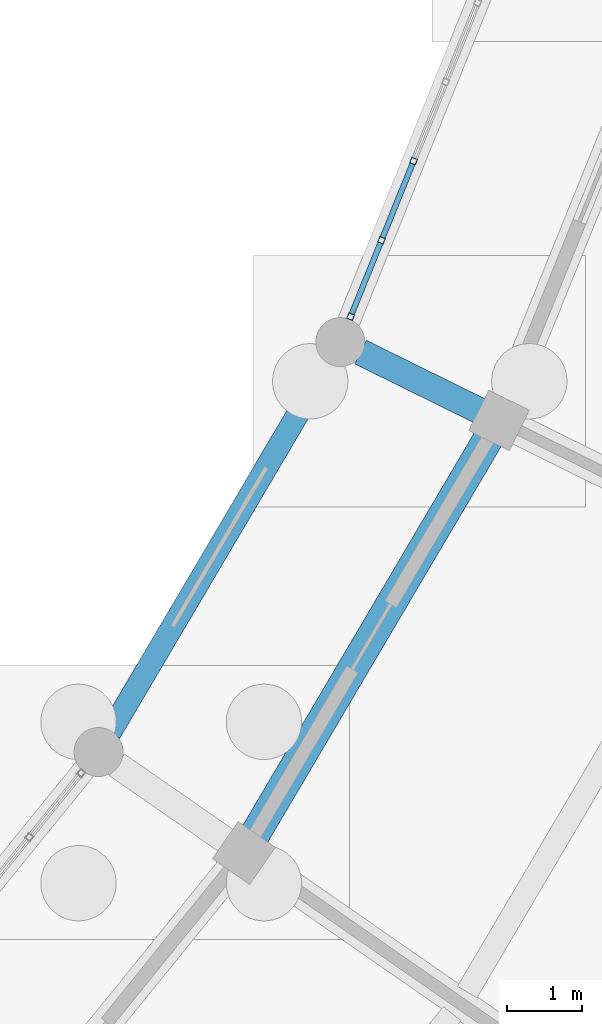
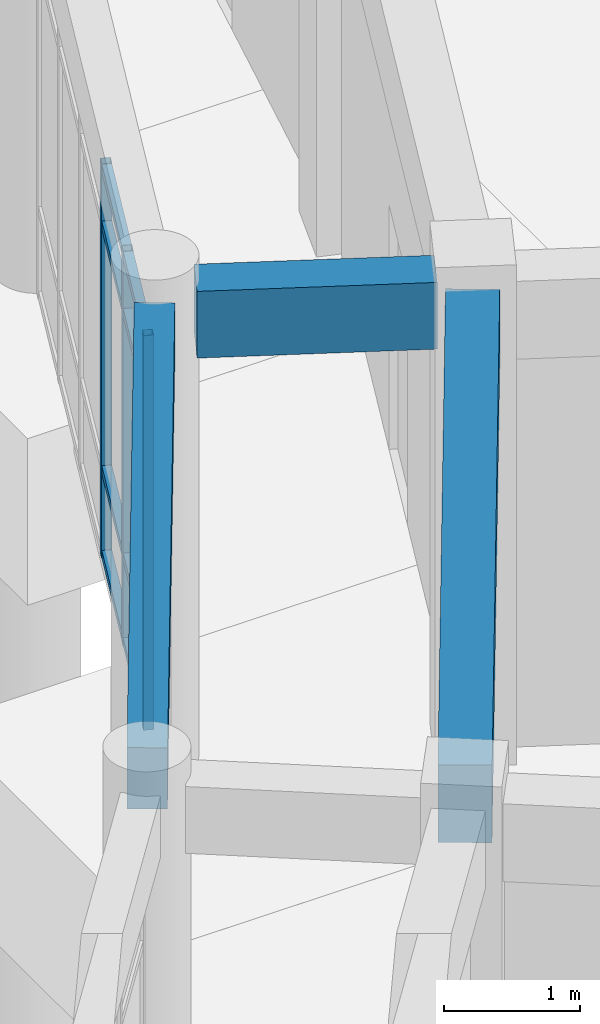
# One storey, part 53 of 153: 11 members, 3 beams, 1 element without a shape of its own.
"""IFC4 building model written with IfcOpenShell, lengths in metres."""

from ifc_helpers import new_model, si_unit, direction, frame, origin, origin_2d, place, context, subcontext, project, spatial, rectangle, hollow_rectangle, extrude, material, material_profile, profile_set, type_object, element, aggregate, save


model = new_model("IFC4")

# Units and contexts
model_context = context("Model", 3, precision=1e-05, world=origin(), true_north=direction((0.0, 1.0)))
body_context = subcontext(model_context, "Body", "Model", "MODEL_VIEW")
ifc_project = project(units=[si_unit("LENGTHUNIT", "METRE"), si_unit("AREAUNIT", "SQUARE_METRE"), si_unit("VOLUMEUNIT", "CUBIC_METRE"), si_unit("PLANEANGLEUNIT", "RADIAN"), si_unit("MASSUNIT", "GRAM", prefix="KILO")], contexts=[model_context])

# Site, building, storey
site_placement = place(None, origin())
site = spatial("IfcSite", under=ifc_project, at=site_placement, CompositionType="ELEMENT")
building_placement = place(site_placement, origin())
building = spatial("IfcBuilding", under=site, at=building_placement, Name="Celadon Cloister-Ring School", CompositionType="ELEMENT")
storey_placement = place(building_placement, origin())
storey = spatial("IfcBuildingStorey", under=building, at=storey_placement, Name="L00", CompositionType="ELEMENT", Elevation=0.0)

# Beam
ifc_material_1 = material(Name="Concrete C35/45", Category="concrete")
ifc_material_profile_1 = material_profile(ifc_material_1, rectangle(XDim=0.35009765625, YDim=0.60009765625, at=origin_2d()), Name="RC350X600")
ifc_profile_set_1 = profile_set([ifc_material_profile_1], Name="Concrete C35/45")
beam_type_1 = type_object("IfcBeamType", Name="BT-02", PredefinedType="BEAM", material=ifc_profile_set_1)
beam_1_placement = place(storey_placement, frame((127.10205078125, 39.197998046875, 3.97998046875), z_axis=(-0.896808796735, 0.442418333819, 0.0), x_axis=(-0.442418333819, -0.896808796735, 0.0)))
element("IfcBeam", 1, at=beam_1_placement, inside=storey, type_object=beam_type_1, Name="Beam 0049", PredefinedType="BEAM", context=body_context, shape_type="SweptSolid", body=[
    extrude(rectangle(XDim=0.35009765625, YDim=0.60009765625, at=origin_2d()), origin(), (0.0, 0.0, 1.0), 1.774169921875),
])

# Curtain wall, members
ifc_material_2 = material(Name="Aluminium EN AW-6063 T6", Category="aluminium")
curtain_wall_type = type_object("IfcCurtainWallType", Name="CW-01", PredefinedType="USERDEFINED", material=ifc_material_2)
curtain_wall_placement = place(storey_placement, origin())
curtain_wall = element("IfcCurtainWall", 2, at=curtain_wall_placement, inside=storey, type_object=curtain_wall_type, Name="Curtain Wall 0015", ObjectType="CURTAIN WALL", PredefinedType="USERDEFINED")
ifc_material_3 = material(Name="Aluminium EN AW-6063 T6", Category="aluminium")
ifc_material_profile_2 = material_profile(ifc_material_3, hollow_rectangle(XDim=0.080078125, YDim=0.080078125, WallThickness=0.00390625, at=origin_2d()), Name="RHS80X80X4")
ifc_profile_set_2 = profile_set([ifc_material_profile_2], Name="Aluminium EN AW-6063 T6")
member_type_1 = type_object("IfcMemberType", Name="CM-03", PredefinedType="MULLION", material=ifc_profile_set_2)
member_1_placement = place(storey_placement, frame((125.37890625, 40.4541015625, 0.0), z_axis=(0.0, 0.0, 1.0), x_axis=(-0.927009611847, 0.375037570843, 0.0)))
member_1 = element("IfcMember", 3, at=member_1_placement, type_object=member_type_1, Name="CW-01 mullion 1", PredefinedType="MULLION", context=body_context, shape_type="SweptSolid", body=[
    extrude(hollow_rectangle(XDim=0.080078125, YDim=0.080078125, WallThickness=0.00390625, at=origin_2d()), origin(), (0.0, 0.0, 1.0), 3.550048828125),
])
member_2_placement = place(storey_placement, frame((125.789306640625, 41.468017578125, 0.0), z_axis=(0.0, 0.0, 1.0), x_axis=(-0.927009611847, 0.375037570843, 0.0)))
member_2 = element("IfcMember", 4, at=member_2_placement, type_object=member_type_1, Name="CW-01 mullion 2", PredefinedType="MULLION", context=body_context, shape_type="SweptSolid", body=[
    extrude(hollow_rectangle(XDim=0.080078125, YDim=0.080078125, WallThickness=0.00390625, at=origin_2d()), origin(), (0.0, 0.0, 1.0), 3.550048828125),
])
member_3_placement = place(storey_placement, frame((126.21435546875, 42.51904296875, 0.0), z_axis=(0.0, 0.0, 1.0), x_axis=(-0.927009611847, 0.375037570843, 0.0)))
member_3 = element("IfcMember", 5, at=member_3_placement, type_object=member_type_1, Name="CW-01 mullion 3", PredefinedType="MULLION", context=body_context, shape_type="SweptSolid", body=[
    extrude(hollow_rectangle(XDim=0.080078125, YDim=0.080078125, WallThickness=0.00390625, at=origin_2d()), origin(), (0.0, 0.0, 1.0), 3.550048828125),
])
ifc_material_4 = material(Name="Aluminium EN AW-6063 T6", Category="aluminium")
ifc_material_profile_3 = material_profile(ifc_material_4, hollow_rectangle(XDim=0.074951171875, YDim=0.074951171875, WallThickness=0.00390625, at=origin_2d()), Name="RHS75X75X4")
ifc_profile_set_3 = profile_set([ifc_material_profile_3], Name="Aluminium EN AW-6063 T6")
member_type_2 = type_object("IfcMemberType", Name="CTM-03", PredefinedType="USERDEFINED", material=ifc_profile_set_3)
member_4_placement = place(storey_placement, frame((125.39404296875, 40.4912109375, 0.03759765625), z_axis=(0.375000587329, 0.927024573301, 0.0), x_axis=(-0.927024573301, 0.375000587329, 0.0)))
member_4 = element("IfcMember", 6, at=member_4_placement, type_object=member_type_2, Name="CW-01 transom 1.1", ObjectType="TRANSOM", PredefinedType="USERDEFINED", context=body_context, shape_type="SweptSolid", body=[
    extrude(hollow_rectangle(XDim=0.074951171875, YDim=0.074951171875, WallThickness=0.00390625, at=origin_2d()), origin(), (0.0, 0.0, 1.0), 1.013671875),
])
member_5_placement = place(storey_placement, frame((125.39404296875, 40.4912109375, 0.800048828125), z_axis=(0.375000587329, 0.927024573301, 0.0), x_axis=(-0.927024573301, 0.375000587329, 0.0)))
member_5 = element("IfcMember", 7, at=member_5_placement, type_object=member_type_2, Name="CW-01 transom 1.2", ObjectType="TRANSOM", PredefinedType="USERDEFINED", context=body_context, shape_type="SweptSolid", body=[
    extrude(hollow_rectangle(XDim=0.074951171875, YDim=0.074951171875, WallThickness=0.00390625, at=origin_2d()), origin(), (0.0, 0.0, 1.0), 1.013671875),
])
member_6_placement = place(storey_placement, frame((125.39404296875, 40.4912109375, 3.0), z_axis=(0.375000587329, 0.927024573301, 0.0), x_axis=(-0.927024573301, 0.375000587329, 0.0)))
member_6 = element("IfcMember", 8, at=member_6_placement, type_object=member_type_2, Name="CW-01 transom 1.3", ObjectType="TRANSOM", PredefinedType="USERDEFINED", context=body_context, shape_type="SweptSolid", body=[
    extrude(hollow_rectangle(XDim=0.074951171875, YDim=0.074951171875, WallThickness=0.00390625, at=origin_2d()), origin(), (0.0, 0.0, 1.0), 1.013671875),
])
member_7_placement = place(storey_placement, frame((125.39404296875, 40.4912109375, 3.512451171875), z_axis=(0.375000587329, 0.927024573301, 0.0), x_axis=(-0.927024573301, 0.375000587329, 0.0)))
member_7 = element("IfcMember", 9, at=member_7_placement, type_object=member_type_2, Name="CW-01 transom 1.4", ObjectType="TRANSOM", PredefinedType="USERDEFINED", context=body_context, shape_type="SweptSolid", body=[
    extrude(hollow_rectangle(XDim=0.074951171875, YDim=0.074951171875, WallThickness=0.00390625, at=origin_2d()), origin(), (0.0, 0.0, 1.0), 1.013671875),
])
member_8_placement = place(storey_placement, frame((125.80419921875, 41.505126953125, 0.03759765625), z_axis=(0.375102699003, 0.926983260475, 0.0), x_axis=(-0.926983260475, 0.375102699003, 0.0)))
member_8 = element("IfcMember", 10, at=member_8_placement, type_object=member_type_2, Name="CW-01 transom 2.1", ObjectType="TRANSOM", PredefinedType="USERDEFINED", context=body_context, shape_type="SweptSolid", body=[
    extrude(hollow_rectangle(XDim=0.074951171875, YDim=0.074951171875, WallThickness=0.00390625, at=origin_2d()), origin(), (0.0, 0.0, 1.0), 1.0537109375),
])
member_9_placement = place(storey_placement, frame((125.80419921875, 41.505126953125, 0.800048828125), z_axis=(0.375102699003, 0.926983260475, 0.0), x_axis=(-0.926983260475, 0.375102699003, 0.0)))
member_9 = element("IfcMember", 11, at=member_9_placement, type_object=member_type_2, Name="CW-01 transom 2.2", ObjectType="TRANSOM", PredefinedType="USERDEFINED", context=body_context, shape_type="SweptSolid", body=[
    extrude(hollow_rectangle(XDim=0.074951171875, YDim=0.074951171875, WallThickness=0.00390625, at=origin_2d()), origin(), (0.0, 0.0, 1.0), 1.0537109375),
])
member_10_placement = place(storey_placement, frame((125.80419921875, 41.505126953125, 3.0), z_axis=(0.375102699003, 0.926983260475, 0.0), x_axis=(-0.926983260475, 0.375102699003, 0.0)))
member_10 = element("IfcMember", 12, at=member_10_placement, type_object=member_type_2, Name="CW-01 transom 2.3", ObjectType="TRANSOM", PredefinedType="USERDEFINED", context=body_context, shape_type="SweptSolid", body=[
    extrude(hollow_rectangle(XDim=0.074951171875, YDim=0.074951171875, WallThickness=0.00390625, at=origin_2d()), origin(), (0.0, 0.0, 1.0), 1.0537109375),
])
member_11_placement = place(storey_placement, frame((125.80419921875, 41.505126953125, 3.512451171875), z_axis=(0.375102699003, 0.926983260475, 0.0), x_axis=(-0.926983260475, 0.375102699003, 0.0)))
member_11 = element("IfcMember", 13, at=member_11_placement, type_object=member_type_2, Name="CW-01 transom 2.4", ObjectType="TRANSOM", PredefinedType="USERDEFINED", context=body_context, shape_type="SweptSolid", body=[
    extrude(hollow_rectangle(XDim=0.074951171875, YDim=0.074951171875, WallThickness=0.00390625, at=origin_2d()), origin(), (0.0, 0.0, 1.0), 1.0537109375),
])
aggregate(curtain_wall, [member_1, member_2, member_3, member_4, member_5, member_6, member_7, member_8, member_9, member_10, member_11])

# Beams
ifc_material_5 = material(Name="Concrete C35/45", Category="concrete")
ifc_material_profile_4 = material_profile(ifc_material_5, rectangle(XDim=0.39990234375, YDim=0.699951171875, at=origin_2d()), Name="RC400X700")
ifc_profile_set_4 = profile_set([ifc_material_profile_4], Name="Concrete C35/45")
beam_type_2 = type_object("IfcBeamType", Name="GT-03", PredefinedType="USERDEFINED", material=ifc_profile_set_4)
beam_2_placement = place(storey_placement, frame((124.10205078125, 33.570068359375, 3.929931640625), z_axis=(0.507930348114, 0.861398143407, 0.0), x_axis=(-0.861398143407, 0.507930348114, 0.0)))
element("IfcBeam", 14, at=beam_2_placement, inside=storey, type_object=beam_type_2, Name="Beam 0158", ObjectType="GIRDER", PredefinedType="USERDEFINED", context=body_context, shape_type="SweptSolid", body=[
    extrude(rectangle(XDim=0.39990234375, YDim=0.699951171875, at=origin_2d()), origin(), (0.0, 0.0, 1.0), 6.116943359375),
])
ifc_material_6 = material(Name="Concrete C35/45", Category="concrete")
ifc_material_profile_5 = material_profile(ifc_material_6, rectangle(XDim=0.300048828125, YDim=0.550048828125, at=origin_2d()), Name="RC300X550")
ifc_profile_set_5 = profile_set([ifc_material_profile_5], Name="Concrete C35/45")
beam_type_3 = type_object("IfcBeamType", Name="SP-02", PredefinedType="SPANDREL", material=ifc_profile_set_5)
beam_3_placement = place(storey_placement, frame((122.18408203125, 34.931884765625, 4.0048828125), z_axis=(0.508103580929, 0.861295971805, 0.0), x_axis=(-0.861295971805, 0.508103580929, 0.0)))
element("IfcBeam", 15, at=beam_3_placement, inside=storey, type_object=beam_type_3, Name="Beam 0159", PredefinedType="SPANDREL", context=body_context, shape_type="SweptSolid", body=[
    extrude(rectangle(XDim=0.300048828125, YDim=0.550048828125, at=origin_2d()), origin(), (0.0, 0.0, 1.0), 5.71923828125),
])

save(model, "model.ifc")
